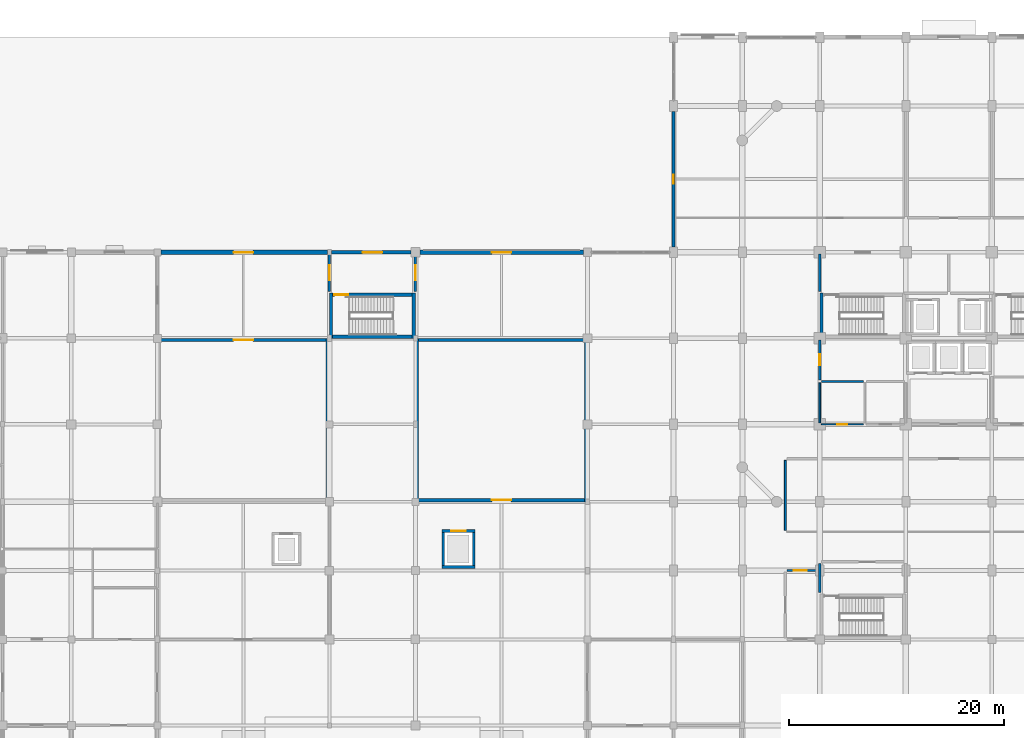
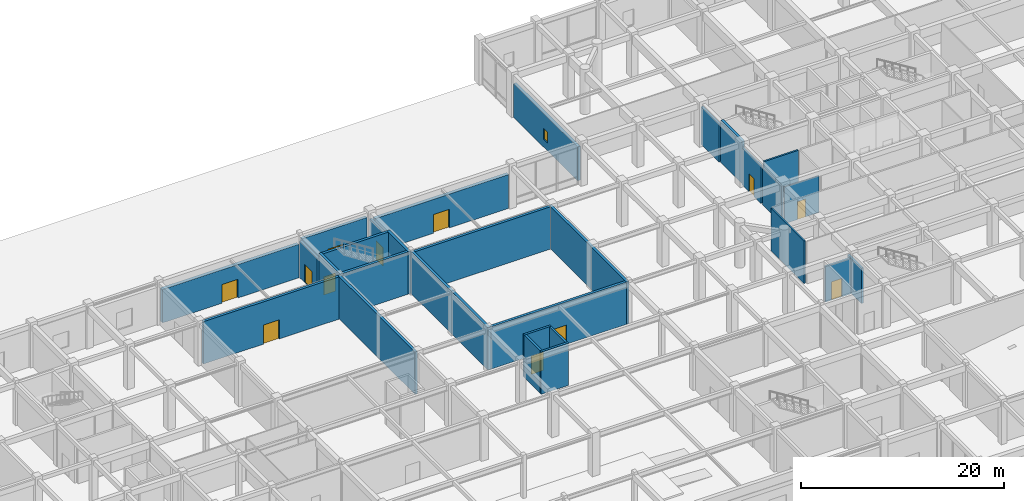
# One storey, part 30 of 40: 29 walls, 12 doors, 1 window, 13 openings.
"""IFC4 building model written with IfcOpenShell, lengths in metres."""

from ifc_helpers import new_model, si_unit, direction, frame, frame_2d, origin, place, context, subcontext, project, spatial, rectangle, extrude, material, layer, layer_set, type_object, element, fill, save


model = new_model("IFC4")

# Units and contexts
model_context = context("Model", 3, precision=1e-05, world=origin(), true_north=direction((0.0, 1.0)))
body_context = subcontext(model_context, "Body", "Model", "MODEL_VIEW")
ifc_project = project(units=[si_unit("LENGTHUNIT", "METRE"), si_unit("AREAUNIT", "SQUARE_METRE"), si_unit("VOLUMEUNIT", "CUBIC_METRE"), si_unit("PLANEANGLEUNIT", "RADIAN"), si_unit("MASSUNIT", "GRAM", prefix="KILO")], contexts=[model_context])

# Site, building, storey
site_placement = place(None, origin())
site = spatial("IfcSite", under=ifc_project, at=site_placement, CompositionType="ELEMENT")
building_placement = place(site_placement, origin())
building = spatial("IfcBuilding", under=site, at=building_placement, Name="Vellmiral Cinema and Media Centre", CompositionType="ELEMENT")
storey_placement = place(building_placement, origin())
storey = spatial("IfcBuildingStorey", under=building, at=storey_placement, Name="L00", CompositionType="ELEMENT", Elevation=0.0)

# Wall, opening, door
ifc_material_1 = material(Name="Concrete C40/50", Category="concrete")
ifc_layer_1 = layer(ifc_material_1, 0.2099609375, Name="Concrete C40/50")
ifc_layer_set_1 = layer_set([ifc_layer_1], Name="Concrete C40/50")
wall_type_1 = type_object("IfcWallType", Name="WL-COMP-210", PredefinedType="SOLIDWALL", material=ifc_layer_set_1)
wall_1_placement = place(storey_placement, frame((124.0, 83.340087890625, 0.0), z_axis=(0.0, 0.0, 1.0), x_axis=(0.0, 1.0, 0.0)))
wall_1 = element("IfcWall", 1, at=wall_1_placement, inside=storey, type_object=wall_type_1, Name="Electrical and Telecom Riser Room Wall W", PredefinedType="SOLIDWALL", context=body_context, shape_type="SweptSolid", body=[
    extrude(rectangle(XDim=3.719970703125, YDim=0.2099609375, at=frame_2d((1.85986328125, 0.0))), origin(), (0.0, 0.0, 1.0), 4.47509765625),
])
opening_1_placement = place(wall_1_placement, frame((1.360107421875, 0.0, 0.0)))
opening_1 = element("IfcOpeningElement", 2, at=opening_1_placement, cuts=wall_1, Name="Opening D-FD30B", PredefinedType="OPENING", context=body_context, shape_type="SweptSolid", body=[
    extrude(rectangle(XDim=1.0, YDim=2.14990234375, at=frame_2d((0.5, 1.074951171875))), frame((0.0, 0.116943359375, 0.0), z_axis=(0.0, -1.0, 0.0), x_axis=(1.0, 0.0, 0.0)), (0.0, 0.0, 1.0), 0.23388671875),
])
ifc_material_2 = material(Name="Steel Riser Fire Door", Category="steel")
door_type_1 = type_object("IfcDoorType", Name="DR-FD30-1000x2150", OperationType="NOTDEFINED", PredefinedType="DOOR", material=ifc_material_2)
door_1_placement = place(opening_1_placement, frame((1.0, 0.0, 0.0), z_axis=(0.0, 0.0, 1.0), x_axis=(-1.0, 0.0, 0.0)))
door_1 = element("IfcDoor", 3, at=door_1_placement, inside=storey, type_object=door_type_1, Name="Electrical and Telecom Riser Room Door", OperationType="SINGLE_SWING_RIGHT", OverallHeight=2.14990234375, OverallWidth=1.0, PredefinedType="DOOR", context=body_context, shape_type="SweptSolid", body=[
    extrude(rectangle(XDim=1.0, YDim=2.14990234375, at=frame_2d((0.5, 1.074951171875))), frame((0.0, 0.02490234375, 0.0), z_axis=(0.0, -1.0, 0.0), x_axis=(1.0, 0.0, 0.0)), (0.0, 0.0, 1.0), 0.050048828125),
])
fill(opening_1, door_1)

wall_2_placement = place(storey_placement, frame((120.93994140625, 65.60009765625, 0.0), z_axis=(0.0, 0.0, 1.0), x_axis=(1.0, 0.0, 0.0)))
wall_2 = element("IfcWall", 4, at=wall_2_placement, inside=storey, type_object=wall_type_1, Name="ST-P6 West Escape Vestibule Wall N", PredefinedType="SOLIDWALL", context=body_context, shape_type="SweptSolid", body=[
    extrude(rectangle(XDim=2.920166015625, YDim=0.2099609375, at=frame_2d((1.4599609375, 0.0))), origin(), (0.0, 0.0, 1.0), 4.27490234375),
])
opening_2_placement = place(wall_2_placement, frame((0.659912109375, 0.0, 0.0)))
opening_2 = element("IfcOpeningElement", 5, at=opening_2_placement, cuts=wall_2, Name="Opening D-FD60C", PredefinedType="OPENING", context=body_context, shape_type="SweptSolid", body=[
    extrude(rectangle(XDim=1.199951171875, YDim=2.199951171875, at=frame_2d((0.60009765625, 1.10009765625))), frame((0.0, 0.116943359375, 0.0), z_axis=(0.0, -1.0, 0.0), x_axis=(1.0, 0.0, 0.0)), (0.0, 0.0, 1.0), 0.23388671875),
])
ifc_material_3 = material(Name="Steel Fire Door", Category="steel")
door_type_2 = type_object("IfcDoorType", Name="DR-FD60-1200x2200", OperationType="NOTDEFINED", PredefinedType="DOOR", material=ifc_material_3)
door_2_placement = place(opening_2_placement, frame((1.199951171875, 0.0, 0.0), z_axis=(0.0, 0.0, 1.0), x_axis=(-1.0, 0.0, 0.0)))
door_2 = element("IfcDoor", 6, at=door_2_placement, inside=storey, type_object=door_type_2, Name="ST-P6 West Escape Vestibule Door", OperationType="SINGLE_SWING_RIGHT", OverallHeight=2.199951171875, OverallWidth=1.199951171875, PredefinedType="DOOR", context=body_context, shape_type="SweptSolid", body=[
    extrude(rectangle(XDim=1.199951171875, YDim=2.199951171875, at=frame_2d((0.60009765625, 1.10009765625))), frame((0.0, 0.02490234375, 0.0), z_axis=(0.0, -1.0, 0.0), x_axis=(1.0, 0.0, 0.0)), (0.0, 0.0, 1.0), 0.050048828125),
])
fill(opening_2, door_2)

ifc_material_4 = material(Name="Concrete C40/50", Category="concrete")
ifc_layer_2 = layer(ifc_material_4, 0.300048828125, Name="Concrete C40/50")
ifc_layer_set_2 = layer_set([ifc_layer_2], Name="Concrete C40/50")
wall_type_2 = type_object("IfcWallType", Name="WL-CORE-300", PredefinedType="SHEAR", material=ifc_layer_set_2)
wall_3_placement = place(storey_placement, frame((62.699951171875, 87.050048828125, 0.0), z_axis=(0.0, 0.0, 1.0), x_axis=(1.0, 0.0, 0.0)))
wall_3 = element("IfcWall", 7, at=wall_3_placement, inside=storey, type_object=wall_type_2, Name="Broadcast Studio A Acoustic Wall L00-N", PredefinedType="SHEAR", context=body_context, shape_type="SweptSolid", body=[
    extrude(rectangle(XDim=15.400146484375, YDim=0.300048828125, at=frame_2d((7.7001953125, 0.0))), origin(), (0.0, 0.0, 1.0), 5.080078125),
])
opening_3_placement = place(wall_3_placement, frame((6.800048828125, 0.0, 0.0)))
opening_3 = element("IfcOpeningElement", 8, at=opening_3_placement, cuts=wall_3, Name="Opening D-AC1", PredefinedType="OPENING", context=body_context, shape_type="SweptSolid", body=[
    extrude(rectangle(XDim=1.800048828125, YDim=2.300048828125, at=frame_2d((0.89990234375, 1.14990234375))), frame((0.0, 0.162109375, 0.0), z_axis=(0.0, -1.0, 0.0), x_axis=(1.0, 0.0, 0.0)), (0.0, 0.0, 1.0), 0.323974609375),
])
ifc_material_5 = material(Name="Acoustic Steel Studio Door", Category="steel")
door_type_3 = type_object("IfcDoorType", Name="DR-AC-1800x2300", OperationType="DOUBLE_DOOR_SINGLE_SWING", PredefinedType="DOOR", material=ifc_material_5)
door_3_placement = place(opening_3_placement, origin())
door_3 = element("IfcDoor", 9, at=door_3_placement, inside=storey, type_object=door_type_3, Name="Broadcast Studio A Sound-Lock Door", OperationType="DOUBLE_DOOR_SINGLE_SWING", OverallHeight=2.300048828125, OverallWidth=1.800048828125, PredefinedType="DOOR", context=body_context, shape_type="SweptSolid", body=[
    extrude(rectangle(XDim=1.800048828125, YDim=2.300048828125, at=frame_2d((0.89990234375, 1.14990234375))), frame((0.0, 0.02490234375, 0.0), z_axis=(0.0, -1.0, 0.0), x_axis=(1.0, 0.0, 0.0)), (0.0, 0.0, 1.0), 0.050048828125),
])
fill(opening_3, door_3)

# Wall
wall_4_placement = place(storey_placement, frame((78.25, 72.0, 0.0), z_axis=(0.0, 0.0, 1.0), x_axis=(0.0, 1.0, 0.0)))
element("IfcWall", 10, at=wall_4_placement, inside=storey, type_object=wall_type_2, Name="Broadcast Studio A Acoustic Wall L00-E", PredefinedType="SHEAR", context=body_context, shape_type="SweptSolid", body=[
    extrude(rectangle(XDim=15.199951171875, YDim=0.300048828125, at=frame_2d((7.60009765625, 0.0))), origin(), (0.0, 0.0, 1.0), 5.080078125),
])

# Wall, opening, door
wall_5_placement = place(storey_placement, frame((86.699951171875, 72.14990234375, 0.0), z_axis=(0.0, 0.0, 1.0), x_axis=(1.0, 0.0, 0.0)))
wall_5 = element("IfcWall", 11, at=wall_5_placement, inside=storey, type_object=wall_type_2, Name="Broadcast Studio B Acoustic Wall L00-S", PredefinedType="SHEAR", context=body_context, shape_type="SweptSolid", body=[
    extrude(rectangle(XDim=15.400146484375, YDim=0.300048828125, at=frame_2d((7.7001953125, 0.0))), origin(), (0.0, 0.0, 1.0), 5.080078125),
])
opening_4_placement = place(wall_5_placement, frame((6.800048828125, 0.0, 0.0)))
opening_4 = element("IfcOpeningElement", 12, at=opening_4_placement, cuts=wall_5, Name="Opening D-AC1", PredefinedType="OPENING", context=body_context, shape_type="SweptSolid", body=[
    extrude(rectangle(XDim=1.800048828125, YDim=2.300048828125, at=frame_2d((0.89990234375, 1.14990234375))), frame((0.0, 0.162109375, 0.0), z_axis=(0.0, -1.0, 0.0), x_axis=(1.0, 0.0, 0.0)), (0.0, 0.0, 1.0), 0.323974609375),
])
door_4_placement = place(opening_4_placement, frame((1.800048828125, 0.0, 0.0), z_axis=(0.0, 0.0, 1.0), x_axis=(-1.0, 0.0, 0.0)))
door_4 = element("IfcDoor", 13, at=door_4_placement, inside=storey, type_object=door_type_3, Name="Broadcast Studio B Sound-Lock Door", OperationType="DOUBLE_DOOR_SINGLE_SWING", OverallHeight=2.300048828125, OverallWidth=1.800048828125, PredefinedType="DOOR", context=body_context, shape_type="SweptSolid", body=[
    extrude(rectangle(XDim=1.800048828125, YDim=2.300048828125, at=frame_2d((0.89990234375, 1.14990234375))), frame((0.0, 0.02490234375, 0.0), z_axis=(0.0, -1.0, 0.0), x_axis=(1.0, 0.0, 0.0)), (0.0, 0.0, 1.0), 0.050048828125),
])
fill(opening_4, door_4)

# Walls
wall_6_placement = place(storey_placement, frame((86.699951171875, 87.050048828125, 0.0), z_axis=(0.0, 0.0, 1.0), x_axis=(1.0, 0.0, 0.0)))
element("IfcWall", 14, at=wall_6_placement, inside=storey, type_object=wall_type_2, Name="Broadcast Studio B Acoustic Wall L00-N", PredefinedType="SHEAR", context=body_context, shape_type="SweptSolid", body=[
    extrude(rectangle(XDim=15.400146484375, YDim=0.300048828125, at=frame_2d((7.7001953125, 0.0))), origin(), (0.0, 0.0, 1.0), 5.080078125),
])
for number, where, z_axis, x_axis, name in (
    (15, (86.550048828125, 72.0, 0.0), (0.0, 0.0, 1.0), (0.0, 1.0, 0.0), "Broadcast Studio B Acoustic Wall L00-W"),
    (16, (102.25, 72.0, 0.0), (0.0, 0.0, 1.0), (0.0, 1.0, 0.0), "Broadcast Studio B Acoustic Wall L00-E"),
):
    element("IfcWall", number, at=place(storey_placement, frame(where, z_axis=z_axis, x_axis=x_axis)), inside=storey, type_object=wall_type_2, Name=name, PredefinedType="SHEAR", context=body_context, shape_type="SweptSolid", body=[
        extrude(rectangle(XDim=15.199951171875, YDim=0.300048828125, at=frame_2d((7.60009765625, 0.0))), origin(), (0.0, 0.0, 1.0), 5.080078125),
    ])
for number, where, z_axis, x_axis, name in (
    (17, (78.550048828125, 87.199951171875, 0.0), (0.0, 0.0, 1.0), (0.0, 1.0, 0.0), "Stair Core Wall ST-P5 L00-W"),
    (18, (86.25, 87.199951171875, 0.0), (0.0, 0.0, 1.0), (0.0, 1.0, 0.0), "Stair Core Wall ST-P5 L00-E"),
):
    element("IfcWall", number, at=place(storey_placement, frame(where, z_axis=z_axis, x_axis=x_axis)), inside=storey, type_object=wall_type_2, Name=name, PredefinedType="SHEAR", context=body_context, shape_type="SweptSolid", body=[
        extrude(rectangle(XDim=4.199951171875, YDim=0.300048828125, at=frame_2d((2.10009765625, 0.0))), origin(), (0.0, 0.0, 1.0), 5.080078125),
    ])
wall_7_placement = place(storey_placement, frame((78.699951171875, 87.35009765625, 0.0), z_axis=(0.0, 0.0, 1.0), x_axis=(1.0, 0.0, 0.0)))
element("IfcWall", 19, at=wall_7_placement, inside=storey, type_object=wall_type_2, Name="Stair Core Wall ST-P5 L00-S", PredefinedType="SHEAR", context=body_context, shape_type="SweptSolid", body=[
    extrude(rectangle(XDim=7.400146484375, YDim=0.300048828125, at=frame_2d((3.7001953125, 0.0))), origin(), (0.0, 0.0, 1.0), 5.080078125),
])

# Wall, opening, door
wall_8_placement = place(storey_placement, frame((78.699951171875, 91.25, 0.0), z_axis=(0.0, 0.0, 1.0), x_axis=(1.0, 0.0, 0.0)))
wall_8 = element("IfcWall", 20, at=wall_8_placement, inside=storey, type_object=wall_type_2, Name="Stair Core Wall ST-P5 L00-N", PredefinedType="SHEAR", context=body_context, shape_type="SweptSolid", body=[
    extrude(rectangle(XDim=7.400146484375, YDim=0.300048828125, at=frame_2d((3.7001953125, 0.0))), origin(), (0.0, 0.0, 1.0), 5.080078125),
])
opening_5_placement = place(wall_8_placement, frame((0.159912109375, 0.0, 0.0)))
opening_5 = element("IfcOpeningElement", 21, at=opening_5_placement, cuts=wall_8, Name="Opening D-FD30A", PredefinedType="OPENING", context=body_context, shape_type="SweptSolid", body=[
    extrude(rectangle(XDim=1.300048828125, YDim=2.179931640625, at=frame_2d((0.64990234375, 1.08984375))), frame((0.0, 0.162109375, 0.0), z_axis=(0.0, -1.0, 0.0), x_axis=(1.0, 0.0, 0.0)), (0.0, 0.0, 1.0), 0.323974609375),
])
ifc_material_6 = material(Name="Steel Stair Fire Door", Category="steel")
door_type_4 = type_object("IfcDoorType", Name="DR-FD30-1300x2180", OperationType="NOTDEFINED", PredefinedType="DOOR", material=ifc_material_6)
door_5_placement = place(opening_5_placement, origin())
door_5 = element("IfcDoor", 22, at=door_5_placement, inside=storey, type_object=door_type_4, Name="Protected Stair Door ST-P5 L00", OperationType="SINGLE_SWING_LEFT", OverallHeight=2.179931640625, OverallWidth=1.300048828125, PredefinedType="DOOR", context=body_context, shape_type="SweptSolid", body=[
    extrude(rectangle(XDim=1.300048828125, YDim=2.179931640625, at=frame_2d((0.64990234375, 1.08984375))), frame((0.0, 0.02490234375, 0.0), z_axis=(0.0, -1.0, 0.0), x_axis=(1.0, 0.0, 0.0)), (0.0, 0.0, 1.0), 0.050048828125),
])
fill(opening_5, door_5)

# Wall
wall_9_placement = place(storey_placement, frame((124.14990234375, 87.199951171875, 0.0), z_axis=(0.0, 0.0, 1.0), x_axis=(0.0, 1.0, 0.0)))
element("IfcWall", 23, at=wall_9_placement, inside=storey, type_object=wall_type_2, Name="Stair Core Wall ST-T1 L00-W", PredefinedType="SHEAR", context=body_context, shape_type="SweptSolid", body=[
    extrude(rectangle(XDim=4.199951171875, YDim=0.300048828125, at=frame_2d((2.10009765625, 0.0))), origin(), (0.0, 0.0, 1.0), 5.080078125),
])

# Wall, opening, window
ifc_material_7 = material(Name="Polychrome Glazed Ceramic Cladding", Category="masonry")
ifc_layer_3 = layer(ifc_material_7, 0.320068359375, Name="Polychrome Glazed Ceramic Cladding")
ifc_layer_set_3 = layer_set([ifc_layer_3], Name="Polychrome Glazed Ceramic Cladding")
wall_type_3 = type_object("IfcWallType", Name="WL-EXT-BRICK-320", PredefinedType="SOLIDWALL", material=ifc_layer_set_3)
wall_10_placement = place(storey_placement, frame((110.39990234375, 108.300048828125, 0.0), z_axis=(0.0, 0.0, 1.0), x_axis=(0.0, -1.0, 0.0)))
wall_10 = element("IfcWall", 24, at=wall_10_placement, inside=storey, type_object=wall_type_3, Name="Exterior Facade Wall L00-054", PredefinedType="SOLIDWALL", context=body_context, shape_type="SweptSolid", body=[
    extrude(rectangle(XDim=12.60009765625, YDim=0.320068359375, at=frame_2d((6.300048828125, 0.0))), origin(), (0.0, 0.0, 1.0), 4.06494140625),
])
opening_6_placement = place(wall_10_placement, frame((5.875, 0.0, 0.89990234375)))
opening_6 = element("IfcOpeningElement", 25, at=opening_6_placement, cuts=wall_10, Name="Opening WN-13", PredefinedType="OPENING", context=body_context, shape_type="SweptSolid", body=[
    extrude(rectangle(XDim=0.85009765625, YDim=1.35009765625, at=frame_2d((0.425048828125, 0.675048828125))), frame((0.0, 0.171875, 0.0), z_axis=(0.0, -1.0, 0.0), x_axis=(1.0, 0.0, 0.0)), (0.0, 0.0, 1.0), 0.343994140625),
])
ifc_material_8 = material(Name="Thermally Broken Aluminium Triple Glazing", Category="aluminium")
window_type = type_object("IfcWindowType", Name="WN-0850x1350", PartitioningType="SINGLE_PANEL", PredefinedType="WINDOW", material=ifc_material_8)
window_placement = place(opening_6_placement, origin())
window = element("IfcWindow", 26, at=window_placement, inside=storey, type_object=window_type, Name="Window L00-054", OverallHeight=1.35009765625, OverallWidth=0.85009765625, PartitioningType="SINGLE_PANEL", PredefinedType="WINDOW", context=body_context, shape_type="SweptSolid", body=[
    extrude(rectangle(XDim=0.85009765625, YDim=1.35009765625, at=frame_2d((0.425048828125, 0.675048828125))), frame((0.0, 0.030029296875, 0.0), z_axis=(0.0, -1.0, 0.0), x_axis=(1.0, 0.0, 0.0)), (0.0, 0.0, 1.0), 0.06005859375),
])
fill(opening_6, window)

# Wall, opening, door
wall_11_placement = place(storey_placement, frame((85.97509765625, 95.199951171875, 0.0), z_axis=(0.0, 0.0, 1.0), x_axis=(-1.0, 0.0, 0.0)))
wall_11 = element("IfcWall", 27, at=wall_11_placement, inside=storey, type_object=wall_type_3, Name="Exterior Facade Wall L00-057", PredefinedType="SOLIDWALL", context=body_context, shape_type="SweptSolid", body=[
    extrude(rectangle(XDim=7.375, YDim=0.320068359375, at=frame_2d((3.6875, 0.0))), origin(), (0.0, 0.0, 1.0), 4.514892578125),
])
opening_7_placement = place(wall_11_placement, frame((2.675048828125, 0.0, 0.0)))
opening_7 = element("IfcOpeningElement", 28, at=opening_7_placement, cuts=wall_11, Name="Opening DE-03", PredefinedType="OPENING", context=body_context, shape_type="SweptSolid", body=[
    extrude(rectangle(XDim=1.800048828125, YDim=2.25, at=frame_2d((0.89990234375, 1.125))), frame((0.0, 0.171875, 0.0), z_axis=(0.0, -1.0, 0.0), x_axis=(1.0, 0.0, 0.0)), (0.0, 0.0, 1.0), 0.343994140625),
])
ifc_material_9 = material(Name="Thermally Broken Glazed Aluminium and Bronze Door", Category="aluminium")
door_type_5 = type_object("IfcDoorType", Name="DR-EXIT-1800x2250", OperationType="DOUBLE_DOOR_SINGLE_SWING", PredefinedType="DOOR", material=ifc_material_9)
door_6_placement = place(opening_7_placement, frame((1.800048828125, 0.0, 0.0), z_axis=(0.0, 0.0, 1.0), x_axis=(-1.0, 0.0, 0.0)))
door_6 = element("IfcDoor", 29, at=door_6_placement, inside=storey, type_object=door_type_5, Name="Firefighting Stair Lobby ST-P5 Cloister Garden Exit", OperationType="DOUBLE_DOOR_SINGLE_SWING", OverallHeight=2.25, OverallWidth=1.800048828125, PredefinedType="DOOR", context=body_context, shape_type="SweptSolid", body=[
    extrude(rectangle(XDim=1.800048828125, YDim=2.25, at=frame_2d((0.89990234375, 1.125))), frame((0.0, 0.02490234375, 0.0), z_axis=(0.0, -1.0, 0.0), x_axis=(1.0, 0.0, 0.0)), (0.0, 0.0, 1.0), 0.050048828125),
])
fill(opening_7, door_6)

ifc_material_10 = material(Name="Vosges Red Sandstone Masonry", Category="masonry")
ifc_layer_4 = layer(ifc_material_10, 0.3798828125, Name="Vosges Red Sandstone Masonry")
ifc_layer_set_4 = layer_set([ifc_layer_4], Name="Vosges Red Sandstone Masonry")
wall_type_4 = type_object("IfcWallType", Name="WL-EXT-SAND-380", PredefinedType="SOLIDWALL", material=ifc_layer_set_4)
wall_12_placement = place(storey_placement, frame((102.02490234375, 95.199951171875, 0.0), z_axis=(0.0, 0.0, 1.0), x_axis=(-1.0, 0.0, 0.0)))
wall_12 = element("IfcWall", 30, at=wall_12_placement, inside=storey, type_object=wall_type_4, Name="Exterior Facade Wall L00-056", PredefinedType="SOLIDWALL", context=body_context, shape_type="SweptSolid", body=[
    extrude(rectangle(XDim=15.199951171875, YDim=0.3798828125, at=frame_2d((7.60009765625, 0.0))), origin(), (0.0, 0.0, 1.0), 4.06494140625),
])
opening_8_placement = place(wall_12_placement, frame((6.72509765625, 0.0, 0.0)))
opening_8 = element("IfcOpeningElement", 31, at=opening_8_placement, cuts=wall_12, Name="Opening DE-03", PredefinedType="OPENING", context=body_context, shape_type="SweptSolid", body=[
    extrude(rectangle(XDim=1.800048828125, YDim=2.25, at=frame_2d((0.89990234375, 1.125))), frame((0.0, 0.201904296875, 0.0), z_axis=(0.0, -1.0, 0.0), x_axis=(1.0, 0.0, 0.0)), (0.0, 0.0, 1.0), 0.40380859375),
])
door_7_placement = place(opening_8_placement, frame((1.800048828125, 0.0, 0.0), z_axis=(0.0, 0.0, 1.0), x_axis=(-1.0, 0.0, 0.0)))
door_7 = element("IfcDoor", 32, at=door_7_placement, inside=storey, type_object=door_type_5, Name="Library North-East Cloister Garden Exit", OperationType="DOUBLE_DOOR_SINGLE_SWING", OverallHeight=2.25, OverallWidth=1.800048828125, PredefinedType="DOOR", context=body_context, shape_type="SweptSolid", body=[
    extrude(rectangle(XDim=1.800048828125, YDim=2.25, at=frame_2d((0.89990234375, 1.125))), frame((0.0, 0.02490234375, 0.0), z_axis=(0.0, -1.0, 0.0), x_axis=(1.0, 0.0, 0.0)), (0.0, 0.0, 1.0), 0.050048828125),
])
fill(opening_8, door_7)

wall_13_placement = place(storey_placement, frame((78.199951171875, 95.199951171875, 0.0), z_axis=(0.0, 0.0, 1.0), x_axis=(-1.0, 0.0, 0.0)))
wall_13 = element("IfcWall", 33, at=wall_13_placement, inside=storey, type_object=wall_type_4, Name="Exterior Facade Wall L00-058", PredefinedType="SOLIDWALL", context=body_context, shape_type="SweptSolid", body=[
    extrude(rectangle(XDim=15.474853515625, YDim=0.3798828125, at=frame_2d((7.7373046875, 0.0))), origin(), (0.0, 0.0, 1.0), 4.014892578125),
])
opening_9_placement = place(wall_13_placement, frame((6.89990234375, 0.0, 0.0)))
opening_9 = element("IfcOpeningElement", 34, at=opening_9_placement, cuts=wall_13, Name="Opening DE-03", PredefinedType="OPENING", context=body_context, shape_type="SweptSolid", body=[
    extrude(rectangle(XDim=1.800048828125, YDim=2.25, at=frame_2d((0.89990234375, 1.125))), frame((0.0, 0.201904296875, 0.0), z_axis=(0.0, -1.0, 0.0), x_axis=(1.0, 0.0, 0.0)), (0.0, 0.0, 1.0), 0.40380859375),
])
door_8_placement = place(opening_9_placement, frame((1.800048828125, 0.0, 0.0), z_axis=(0.0, 0.0, 1.0), x_axis=(-1.0, 0.0, 0.0)))
door_8 = element("IfcDoor", 35, at=door_8_placement, inside=storey, type_object=door_type_5, Name="Library North-West Cloister Garden Exit", OperationType="DOUBLE_DOOR_SINGLE_SWING", OverallHeight=2.25, OverallWidth=1.800048828125, PredefinedType="DOOR", context=body_context, shape_type="SweptSolid", body=[
    extrude(rectangle(XDim=1.800048828125, YDim=2.25, at=frame_2d((0.89990234375, 1.125))), frame((0.0, 0.02490234375, 0.0), z_axis=(0.0, -1.0, 0.0), x_axis=(1.0, 0.0, 0.0)), (0.0, 0.0, 1.0), 0.050048828125),
])
fill(opening_9, door_8)

ifc_material_11 = material(Name="Concrete C40/50", Category="concrete")
ifc_layer_5 = layer(ifc_material_11, 0.22998046875, Name="Concrete C40/50")
ifc_layer_set_5 = layer_set([ifc_layer_5], Name="Concrete C40/50")
wall_type_5 = type_object("IfcWallType", Name="WL-FFL-230", PredefinedType="SOLIDWALL", material=ifc_layer_set_5)
wall_14_placement = place(storey_placement, frame((78.39990234375, 91.5400390625, 0.0), z_axis=(0.0, 0.0, 1.0), x_axis=(0.0, 1.0, 0.0)))
wall_14 = element("IfcWall", 36, at=wall_14_placement, inside=storey, type_object=wall_type_5, Name="Firefighting Stair Lobby ST-P5 Wall W", PredefinedType="SOLIDWALL", context=body_context, shape_type="SweptSolid", body=[
    extrude(rectangle(XDim=3.455078125, YDim=0.22998046875, at=frame_2d((1.7275390625, 0.0))), origin(), (0.0, 0.0, 1.0), 4.425048828125),
])
opening_10_placement = place(wall_14_placement, frame((1.06005859375, 0.0, 0.0)))
opening_10 = element("IfcOpeningElement", 37, at=opening_10_placement, cuts=wall_14, Name="Opening D-FD60B", PredefinedType="OPENING", context=body_context, shape_type="SweptSolid", body=[
    extrude(rectangle(XDim=1.39990234375, YDim=2.199951171875, at=frame_2d((0.699951171875, 1.10009765625))), frame((0.0, 0.126953125, 0.0), z_axis=(0.0, -1.0, 0.0), x_axis=(1.0, 0.0, 0.0)), (0.0, 0.0, 1.0), 0.25390625),
])
ifc_material_12 = material(Name="Steel Fire Door", Category="steel")
door_type_6 = type_object("IfcDoorType", Name="DR-FD60-1400x2200", OperationType="NOTDEFINED", PredefinedType="DOOR", material=ifc_material_12)
door_9_placement = place(opening_10_placement, origin())
door_9 = element("IfcDoor", 38, at=door_9_placement, inside=storey, type_object=door_type_6, Name="Firefighting Stair Lobby ST-P5 Door", OperationType="SINGLE_SWING_LEFT", OverallHeight=2.199951171875, OverallWidth=1.39990234375, PredefinedType="DOOR", context=body_context, shape_type="SweptSolid", body=[
    extrude(rectangle(XDim=1.39990234375, YDim=2.199951171875, at=frame_2d((0.699951171875, 1.10009765625))), frame((0.0, 0.02490234375, 0.0), z_axis=(0.0, -1.0, 0.0), x_axis=(1.0, 0.0, 0.0)), (0.0, 0.0, 1.0), 0.050048828125),
])
fill(opening_10, door_9)

wall_15_placement = place(storey_placement, frame((86.39990234375, 91.5400390625, 0.0), z_axis=(0.0, 0.0, 1.0), x_axis=(0.0, 1.0, 0.0)))
wall_15 = element("IfcWall", 39, at=wall_15_placement, inside=storey, type_object=wall_type_5, Name="Firefighting Stair Lobby ST-P5 Wall E", PredefinedType="SOLIDWALL", context=body_context, shape_type="SweptSolid", body=[
    extrude(rectangle(XDim=3.554931640625, YDim=0.22998046875, at=frame_2d((1.77734375, 0.0))), origin(), (0.0, 0.0, 1.0), 4.22509765625),
])
opening_11_placement = place(wall_15_placement, frame((1.06005859375, 0.0, 0.0)))
opening_11 = element("IfcOpeningElement", 40, at=opening_11_placement, cuts=wall_15, Name="Opening D-FD60B", PredefinedType="OPENING", context=body_context, shape_type="SweptSolid", body=[
    extrude(rectangle(XDim=1.39990234375, YDim=2.199951171875, at=frame_2d((0.699951171875, 1.10009765625))), frame((0.0, 0.126953125, 0.0), z_axis=(0.0, -1.0, 0.0), x_axis=(1.0, 0.0, 0.0)), (0.0, 0.0, 1.0), 0.25390625),
])
door_10_placement = place(opening_11_placement, frame((1.39990234375, 0.0, 0.0), z_axis=(0.0, 0.0, 1.0), x_axis=(-1.0, 0.0, 0.0)))
door_10 = element("IfcDoor", 41, at=door_10_placement, inside=storey, type_object=door_type_6, Name="Firefighting Stair Lobby ST-P5 Door", OperationType="SINGLE_SWING_RIGHT", OverallHeight=2.199951171875, OverallWidth=1.39990234375, PredefinedType="DOOR", context=body_context, shape_type="SweptSolid", body=[
    extrude(rectangle(XDim=1.39990234375, YDim=2.199951171875, at=frame_2d((0.699951171875, 1.10009765625))), frame((0.0, 0.02490234375, 0.0), z_axis=(0.0, -1.0, 0.0), x_axis=(1.0, 0.0, 0.0)), (0.0, 0.0, 1.0), 0.050048828125),
])
fill(opening_11, door_10)

# Walls
wall_16_placement = place(storey_placement, frame((124.0, 63.5400390625, 0.0), z_axis=(0.0, 0.0, 1.0), x_axis=(0.0, 1.0, 0.0)))
element("IfcWall", 42, at=wall_16_placement, inside=storey, type_object=wall_type_5, Name="Firefighting Stair Lobby ST-P6 Wall W", PredefinedType="SOLIDWALL", context=body_context, shape_type="SweptSolid", body=[
    extrude(rectangle(XDim=2.719970703125, YDim=0.22998046875, at=frame_2d((1.35986328125, 0.0))), origin(), (0.0, 0.0, 1.0), 4.22509765625),
])
wall_17_placement = place(storey_placement, frame((124.0, 91.5400390625, 0.0), z_axis=(0.0, 0.0, 1.0), x_axis=(0.0, 1.0, 0.0)))
element("IfcWall", 43, at=wall_17_placement, inside=storey, type_object=wall_type_5, Name="Firefighting Lobby West Wall W", PredefinedType="SOLIDWALL", context=body_context, shape_type="SweptSolid", body=[
    extrude(rectangle(XDim=3.52001953125, YDim=0.22998046875, at=frame_2d((1.760009765625, 0.0))), origin(), (0.0, 0.0, 1.0), 4.52490234375),
])

# Wall, opening, door
ifc_material_13 = material(Name="Gypsum Plasterboard")
ifc_layer_6 = layer(ifc_material_13, 0.02490234375, Name="Gypsum Plasterboard", Category="gypsum")
ifc_material_14 = material(Name="Mineral Wool Acoustic Insulation", Category="insulation")
ifc_layer_7 = layer(ifc_material_14, 0.06005859375, Name="Mineral Wool Acoustic Insulation", Category="insulation")
ifc_layer_8 = layer(ifc_material_13, 0.02490234375, Name="Gypsum Plasterboard", Category="gypsum")
ifc_layer_set_6 = layer_set([ifc_layer_6, ifc_layer_7, ifc_layer_8], Name="Gypsum Plasterboard")
wall_type_6 = type_object("IfcWallType", Name="WL-PART-110", PredefinedType="PARTITIONING", material=ifc_layer_set_6)
wall_18_placement = place(storey_placement, frame((124.139892578125, 79.199951171875, 0.0), z_axis=(0.0, 0.0, 1.0), x_axis=(1.0, 0.0, 0.0)))
wall_18 = element("IfcWall", 44, at=wall_18_placement, inside=storey, type_object=wall_type_6, Name="Staff WC Wall S", PredefinedType="PARTITIONING", context=body_context, shape_type="SweptSolid", body=[
    extrude(rectangle(XDim=3.920166015625, YDim=0.110107421875, at=frame_2d((1.9599609375, 0.0))), origin(), (0.0, 0.0, 1.0), 4.425048828125),
])
opening_12_placement = place(wall_18_placement, frame((1.485107421875, 0.0, 0.0)))
opening_12 = element("IfcOpeningElement", 45, at=opening_12_placement, cuts=wall_18, Name="Opening D-I09", PredefinedType="OPENING", context=body_context, shape_type="SweptSolid", body=[
    extrude(rectangle(XDim=0.949951171875, YDim=2.14990234375, at=frame_2d((0.47509765625, 1.074951171875))), frame((0.0, 0.06689453125, 0.0), z_axis=(0.0, -1.0, 0.0), x_axis=(1.0, 0.0, 0.0)), (0.0, 0.0, 1.0), 0.134033203125),
])
ifc_material_15 = material(Name="Moisture-Resistant Timber Door", Category="wood")
door_type_7 = type_object("IfcDoorType", Name="DR-INT-950x2150", OperationType="NOTDEFINED", PredefinedType="DOOR", material=ifc_material_15)
door_11_placement = place(opening_12_placement, origin())
door_11 = element("IfcDoor", 46, at=door_11_placement, inside=storey, type_object=door_type_7, Name="Staff WC Door", OperationType="SINGLE_SWING_RIGHT", OverallHeight=2.14990234375, OverallWidth=0.949951171875, PredefinedType="DOOR", context=body_context, shape_type="SweptSolid", body=[
    extrude(rectangle(XDim=0.949951171875, YDim=2.14990234375, at=frame_2d((0.47509765625, 1.074951171875))), frame((0.0, 0.02490234375, 0.0), z_axis=(0.0, -1.0, 0.0), x_axis=(1.0, 0.0, 0.0)), (0.0, 0.0, 1.0), 0.050048828125),
])
fill(opening_12, door_11)

# Walls
ifc_material_16 = material(Name="Gypsum Plasterboard")
ifc_layer_9 = layer(ifc_material_16, 0.02490234375, Name="Gypsum Plasterboard", Category="gypsum")
ifc_material_17 = material(Name="Mineral Wool Acoustic Insulation", Category="insulation")
ifc_layer_10 = layer(ifc_material_17, 0.1201171875, Name="Mineral Wool Acoustic Insulation", Category="insulation")
ifc_layer_11 = layer(ifc_material_16, 0.02490234375, Name="Gypsum Plasterboard", Category="gypsum")
ifc_layer_set_7 = layer_set([ifc_layer_9, ifc_layer_10, ifc_layer_11], Name="Gypsum Plasterboard")
wall_type_7 = type_object("IfcWallType", Name="WL-PART-170", PredefinedType="PARTITIONING", material=ifc_layer_set_7)
wall_19_placement = place(storey_placement, frame((124.0, 79.340087890625, 0.0), z_axis=(0.0, 0.0, 1.0), x_axis=(0.0, 1.0, 0.0)))
element("IfcWall", 47, at=wall_19_placement, inside=storey, type_object=wall_type_7, Name="Staff WC Wall W", PredefinedType="PARTITIONING", context=body_context, shape_type="SweptSolid", body=[
    extrude(rectangle(XDim=3.719970703125, YDim=0.169921875, at=frame_2d((1.85986328125, 0.0))), origin(), (0.0, 0.0, 1.0), 4.47509765625),
])
wall_20_placement = place(storey_placement, frame((120.800048828125, 69.340087890625, 0.0), z_axis=(0.0, 0.0, 1.0), x_axis=(0.0, 1.0, 0.0)))
element("IfcWall", 48, at=wall_20_placement, inside=storey, type_object=wall_type_7, Name="Tower Ground Entrance Reception Wall W", PredefinedType="PARTITIONING", context=body_context, shape_type="SweptSolid", body=[
    extrude(rectangle(XDim=6.52001953125, YDim=0.169921875, at=frame_2d((3.260009765625, 0.0))), origin(), (0.0, 0.0, 1.0), 5.080078125),
])
ifc_material_18 = material(Name="Gypsum Plasterboard")
ifc_layer_12 = layer(ifc_material_18, 0.02490234375, Name="Gypsum Plasterboard", Category="gypsum")
ifc_material_19 = material(Name="Mineral Wool Acoustic Insulation", Category="insulation")
ifc_layer_13 = layer(ifc_material_19, 0.139892578125, Name="Mineral Wool Acoustic Insulation", Category="insulation")
ifc_layer_14 = layer(ifc_material_18, 0.02490234375, Name="Gypsum Plasterboard", Category="gypsum")
ifc_layer_set_8 = layer_set([ifc_layer_12, ifc_layer_13, ifc_layer_14], Name="Gypsum Plasterboard")
wall_type_8 = type_object("IfcWallType", Name="WL-PART-190", PredefinedType="PARTITIONING", material=ifc_layer_set_8)
wall_21_placement = place(storey_placement, frame((124.139892578125, 83.199951171875, 0.0), z_axis=(0.0, 0.0, 1.0), x_axis=(1.0, 0.0, 0.0)))
element("IfcWall", 49, at=wall_21_placement, inside=storey, type_object=wall_type_8, Name="Staff WC Wall N", PredefinedType="PARTITIONING", context=body_context, shape_type="SweptSolid", body=[
    extrude(rectangle(XDim=3.920166015625, YDim=0.18994140625, at=frame_2d((1.9599609375, 0.0))), origin(), (0.0, 0.0, 1.0), 5.080078125),
])
ifc_material_20 = material(Name="Concrete C40/50", Category="concrete")
ifc_layer_15 = layer(ifc_material_20, 0.25, Name="Concrete C40/50")
ifc_layer_set_9 = layer_set([ifc_layer_15], Name="Concrete C40/50")
wall_type_9 = type_object("IfcWallType", Name="WL-SHAFT-250", PredefinedType="SHEAR", material=ifc_layer_set_9)
wall_22_placement = place(storey_placement, frame((88.85009765625, 65.925048828125, 0.0), z_axis=(0.0, 0.0, 1.0), x_axis=(1.0, 0.0, 0.0)))
element("IfcWall", 50, at=wall_22_placement, inside=storey, type_object=wall_type_9, Name="Lift Shaft Wall LF-G1 L00-S", PredefinedType="SHEAR", context=body_context, shape_type="SweptSolid", body=[
    extrude(rectangle(XDim=3.099853515625, YDim=0.25, at=frame_2d((1.5498046875, 0.0))), origin(), (0.0, 0.0, 1.0), 5.080078125),
])

# Wall, opening, door
wall_23_placement = place(storey_placement, frame((88.85009765625, 69.27490234375, 0.0), z_axis=(0.0, 0.0, 1.0), x_axis=(1.0, 0.0, 0.0)))
wall_23 = element("IfcWall", 51, at=wall_23_placement, inside=storey, type_object=wall_type_9, Name="Lift Shaft Wall LF-G1 L00-N", PredefinedType="SHEAR", context=body_context, shape_type="SweptSolid", body=[
    extrude(rectangle(XDim=3.099853515625, YDim=0.25, at=frame_2d((1.5498046875, 0.0))), origin(), (0.0, 0.0, 1.0), 5.080078125),
])
opening_13_placement = place(wall_23_placement, frame((0.875, 0.0, 0.0)))
opening_13 = element("IfcOpeningElement", 52, at=opening_13_placement, cuts=wall_23, Name="Opening LD-02", PredefinedType="OPENING", context=body_context, shape_type="SweptSolid", body=[
    extrude(rectangle(XDim=1.35009765625, YDim=2.199951171875, at=frame_2d((0.675048828125, 1.10009765625))), frame((0.0, 0.136962890625, 0.0), z_axis=(0.0, -1.0, 0.0), x_axis=(1.0, 0.0, 0.0)), (0.0, 0.0, 1.0), 0.27392578125),
])
ifc_material_21 = material(Name="Stainless Steel Goods Lift Landing Door", Category="steel")
door_type_8 = type_object("IfcDoorType", Name="DR-LIFT-1350x2200", OperationType="SLIDING_TO_LEFT", PredefinedType="DOOR", material=ifc_material_21)
door_12_placement = place(opening_13_placement, origin())
door_12 = element("IfcDoor", 53, at=door_12_placement, inside=storey, type_object=door_type_8, Name="Lift Landing Door LF-G1 L00", OperationType="SLIDING_TO_LEFT", OverallHeight=2.199951171875, OverallWidth=1.35009765625, PredefinedType="DOOR", context=body_context, shape_type="SweptSolid", body=[
    extrude(rectangle(XDim=1.35009765625, YDim=2.199951171875, at=frame_2d((0.675048828125, 1.10009765625))), frame((0.0, 0.02490234375, 0.0), z_axis=(0.0, -1.0, 0.0), x_axis=(1.0, 0.0, 0.0)), (0.0, 0.0, 1.0), 0.050048828125),
])
fill(opening_13, door_12)

# Walls
for number, where, z_axis, x_axis, name in (
    (54, (88.97509765625, 66.050048828125, 0.0), (0.0, 0.0, 1.0), (0.0, 1.0, 0.0), "Lift Shaft Wall LF-G1 L00-W"),
    (55, (91.824951171875, 66.050048828125, 0.0), (0.0, 0.0, 1.0), (0.0, 1.0, 0.0), "Lift Shaft Wall LF-G1 L00-E"),
):
    element("IfcWall", number, at=place(storey_placement, frame(where, z_axis=z_axis, x_axis=x_axis)), inside=storey, type_object=wall_type_9, Name=name, PredefinedType="SHEAR", context=body_context, shape_type="SweptSolid", body=[
        extrude(rectangle(XDim=3.099853515625, YDim=0.25, at=frame_2d((1.5498046875, 0.0))), origin(), (0.0, 0.0, 1.0), 5.080078125),
    ])

save(model, "model.ifc")
